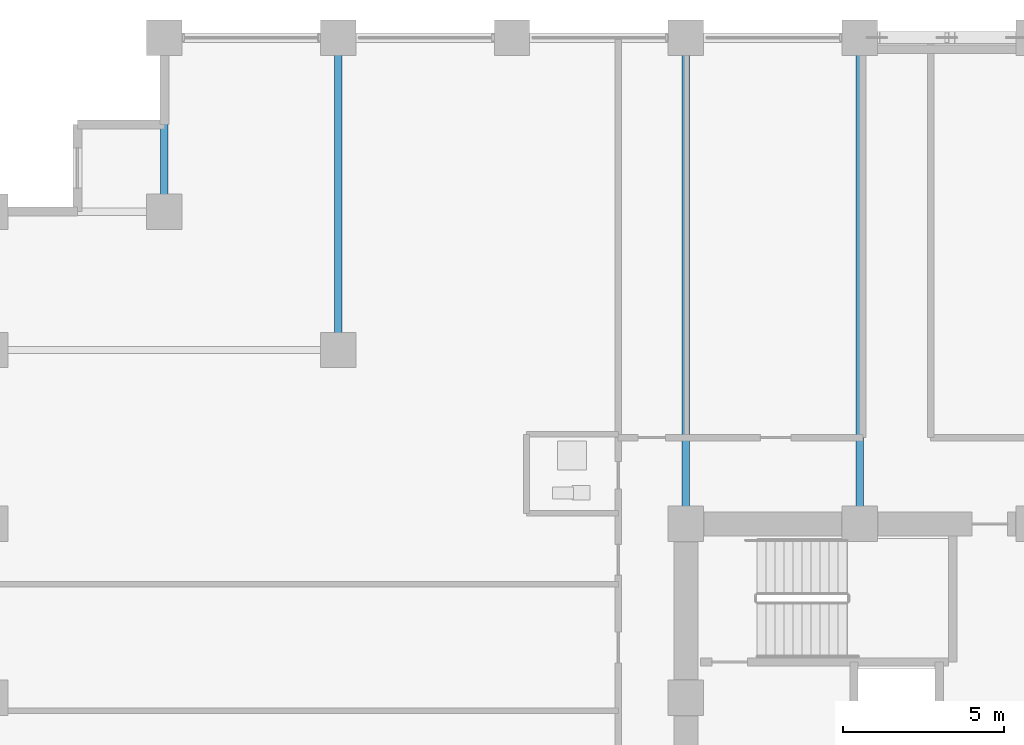
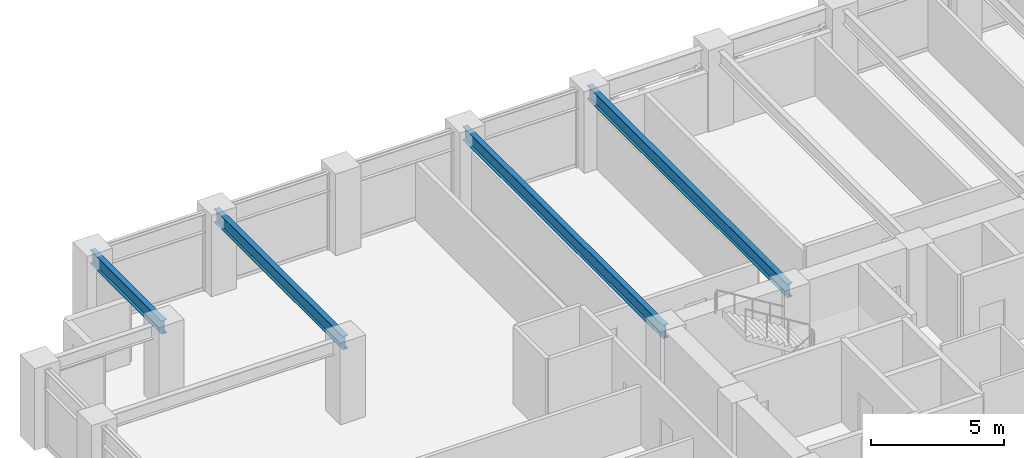
# One storey, part 11 of 24: 4 beams.
"""IFC4 building model written with IfcOpenShell, lengths in metres."""

from ifc_helpers import new_model, si_unit, direction, frame, origin, origin_2d, place, context, subcontext, project, spatial, i_section, extrude, material, material_profile, profile_set, type_object, element, save


model = new_model("IFC4")

# Units and contexts
model_context = context("Model", 3, precision=1e-05, world=origin(), true_north=direction((0.0, 1.0)))
body_context = subcontext(model_context, "Body", "Model", "MODEL_VIEW")
ifc_project = project(units=[si_unit("LENGTHUNIT", "METRE"), si_unit("AREAUNIT", "SQUARE_METRE"), si_unit("VOLUMEUNIT", "CUBIC_METRE"), si_unit("PLANEANGLEUNIT", "RADIAN"), si_unit("MASSUNIT", "GRAM", prefix="KILO")], contexts=[model_context])

# Site, building, storey
site_placement = place(None, origin())
site = spatial("IfcSite", under=ifc_project, at=site_placement, CompositionType="ELEMENT")
building_placement = place(site_placement, origin())
building = spatial("IfcBuilding", under=site, at=building_placement, Name="Surkhivell Harbour Commons", CompositionType="ELEMENT")
storey_placement = place(building_placement, frame((0.0, 0.0, 105.75)))
storey = spatial("IfcBuildingStorey", under=building, at=storey_placement, Name="L27", CompositionType="ELEMENT", Elevation=105.75)

# Beams
ifc_material = material(Name="Steel S355", Category="steel")
ifc_material_profile = material_profile(ifc_material, i_section(OverallWidth=0.22998046875, OverallDepth=0.616943359375, WebThickness=0.01318359375, FlangeThickness=0.022216796875, at=origin_2d()), Name="UB610x229x140")
ifc_profile_set = profile_set([ifc_material_profile], Name="Steel S355")
beam_type = type_object("IfcBeamType", Name="BM-GRD-610B", PredefinedType="BEAM", material=ifc_profile_set)
beam_1_placement = place(storey_placement, frame((-27.0, 20.5, 3.261474609375), z_axis=(0.0, 1.0, 0.0), x_axis=(-1.0, 0.0, 0.0)))
element("IfcBeam", 1, at=beam_1_placement, inside=storey, type_object=beam_type, Name="L27 Floor Girder (-27.0,20.5)", PredefinedType="BEAM", context=body_context, shape_type="SweptSolid", body=[
    extrude(i_section(OverallWidth=0.22998046875, OverallDepth=0.616943359375, WebThickness=0.01318359375, FlangeThickness=0.022216796875, at=origin_2d()), origin(), (0.0, 0.0, 1.0), 5.39990234375),
])
beam_2_placement = place(storey_placement, frame((-21.60009765625, 16.199951171875, 3.261474609375), z_axis=(0.0, 1.0, 0.0), x_axis=(-1.0, 0.0, 0.0)))
element("IfcBeam", 2, at=beam_2_placement, inside=storey, type_object=beam_type, Name="L27 Floor Girder (-21.6,16.2)", PredefinedType="BEAM", context=body_context, shape_type="SweptSolid", body=[
    extrude(i_section(OverallWidth=0.22998046875, OverallDepth=0.616943359375, WebThickness=0.01318359375, FlangeThickness=0.022216796875, at=origin_2d()), origin(), (0.0, 0.0, 1.0), 9.699951171875),
])
for number, where, z_axis, x_axis, name in (
    (3, (-10.800048828125, 10.800048828125, 3.261474609375), (0.0, 1.0, 0.0), (-1.0, 0.0, 0.0), "L27 Floor Girder (-10.8,10.8)"),
    (4, (-5.39990234375, 10.800048828125, 3.261474609375), (0.0, 1.0, 0.0), (-1.0, 0.0, 0.0), "L27 Floor Girder (-5.4,10.8)"),
):
    element("IfcBeam", number, at=place(storey_placement, frame(where, z_axis=z_axis, x_axis=x_axis)), inside=storey, type_object=beam_type, Name=name, PredefinedType="BEAM", context=body_context, shape_type="SweptSolid", body=[
        extrude(i_section(OverallWidth=0.22998046875, OverallDepth=0.616943359375, WebThickness=0.01318359375, FlangeThickness=0.022216796875, at=origin_2d()), origin(), (0.0, 0.0, 1.0), 15.099853515625),
    ])

save(model, "model.ifc")
